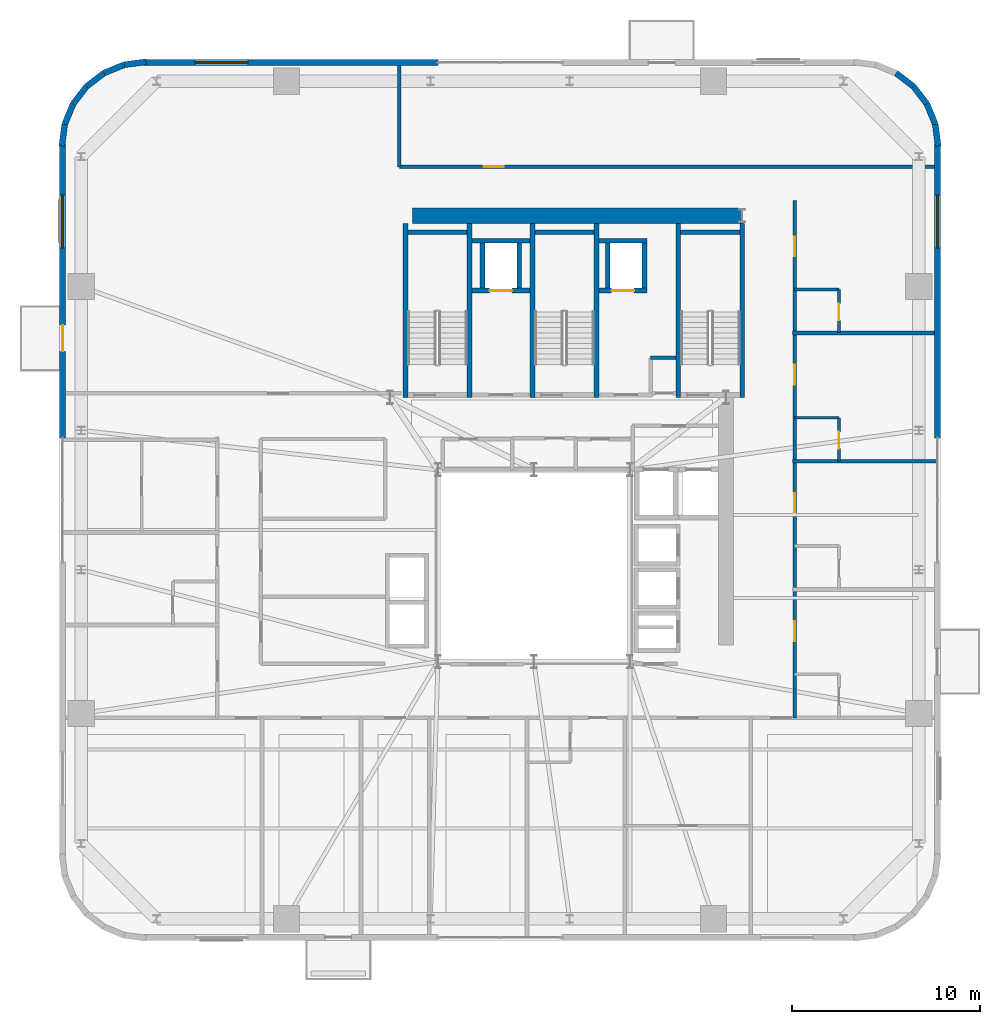
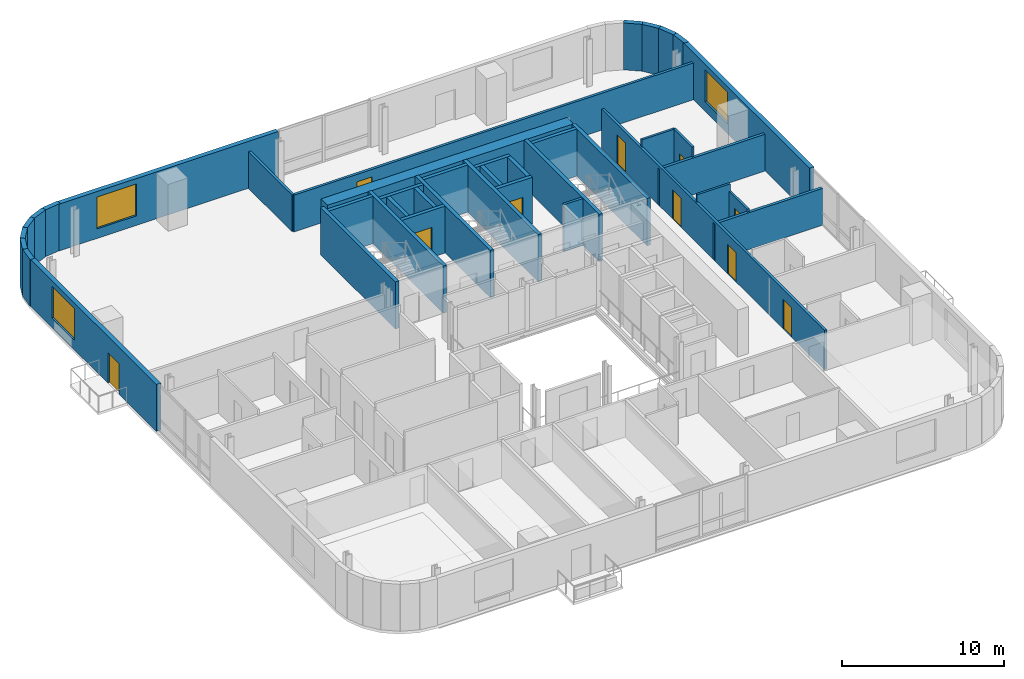
# One storey, part 10 of 13: 41 walls, 10 doors, 3 windows, 13 openings.
"""IFC4 building model written with IfcOpenShell, lengths in metres."""

from ifc_helpers import new_model, si_unit, direction, frame, frame_2d, origin, place, context, subcontext, project, spatial, rectangle, extrude, source, transform, mapped, material, layer, layer_set, type_object, element, fill, save


model = new_model("IFC4")

# Units and contexts
model_context = context("Model", 3, precision=1e-05, world=origin(), true_north=direction((0.0, 1.0)))
body_context = subcontext(model_context, "Body", "Model", "MODEL_VIEW")
ifc_project = project(units=[si_unit("LENGTHUNIT", "METRE"), si_unit("AREAUNIT", "SQUARE_METRE"), si_unit("VOLUMEUNIT", "CUBIC_METRE"), si_unit("PLANEANGLEUNIT", "RADIAN"), si_unit("MASSUNIT", "GRAM", prefix="KILO")], contexts=[model_context])

# Site, building, storey
site_placement = place(None, origin())
site = spatial("IfcSite", under=ifc_project, at=site_placement, CompositionType="ELEMENT")
building_placement = place(site_placement, origin())
building = spatial("IfcBuilding", under=site, at=building_placement, Name="Vardaveli Station Tower", CompositionType="ELEMENT")
storey_placement = place(building_placement, frame((0.0, 0.0, 196.050048828125)))
storey = spatial("IfcBuildingStorey", under=building, at=storey_placement, Name="L50", CompositionType="ELEMENT", Elevation=196.050048828125)

# Wall
ifc_material_1 = material(Name="Concrete C50/60", Category="concrete")
ifc_layer_1 = layer(ifc_material_1, 0.800048828125, Name="Concrete C50/60")
ifc_layer_set_1 = layer_set([ifc_layer_1], Name="Concrete C50/60")
wall_type_1 = type_object("IfcWallType", Name="WAL-CORE-800", PredefinedType="SHEAR", material=ifc_layer_set_1)
shared_shape_1 = source(origin(), body_context, "Body", "SweptSolid", [
    extrude(rectangle(XDim=17.52001953125, YDim=0.800048828125, at=frame_2d((8.760009765625, 0.0))), origin(), (0.0, 0.0, 1.0), 3.530029296875),
])
wall_1_placement = place(storey_placement, frame((29.85009765625, 40.300048828125, 0.0), z_axis=(0.0, 0.0, 1.0), x_axis=(1.0, 0.0, 0.0)))
element("IfcWall", 1, at=wall_1_placement, inside=storey, type_object=wall_type_1, Name="SW-L50-NORTH", PredefinedType="SHEAR", context=body_context, shape_type="MappedRepresentation", body=[
    mapped(shared_shape_1, transform((0.0, 0.0, 0.0), scale=1.0)),
])

# Wall, opening, window
ifc_material_2 = material(Name="Precast concrete C45/55", Category="concrete")
ifc_layer_2 = layer(ifc_material_2, 0.320068359375, Name="Precast concrete C45/55")
ifc_layer_set_2 = layer_set([ifc_layer_2], Name="Precast concrete C45/55")
wall_type_2 = type_object("IfcWallType", Name="WAL-EXT-STONE-320", PredefinedType="SOLIDWALL", material=ifc_layer_set_2)
shared_shape_2 = source(origin(), body_context, "Body", "SweptSolid", [
    extrude(rectangle(XDim=15.599853515625, YDim=0.320068359375, at=frame_2d((7.7998046875, 0.0))), origin(), (0.0, 0.0, 1.0), 3.530029296875),
])
wall_2_placement = place(storey_placement, frame((31.199951171875, 48.43994140625, 0.0), z_axis=(0.0, 0.0, 1.0), x_axis=(-1.0, 0.0, 0.0)))
wall_2 = element("IfcWall", 2, at=wall_2_placement, inside=storey, type_object=wall_type_2, Name="EW-L50-N2", PredefinedType="SOLIDWALL", context=body_context, shape_type="MappedRepresentation", body=[
    mapped(shared_shape_2, transform((0.0, 0.0, 0.0), scale=1.0)),
])
shared_shape_3 = source(origin(), body_context, "Body", "SweptSolid", [
    extrude(rectangle(XDim=2.800048828125, YDim=2.39990234375, at=frame_2d((1.39990234375, 1.199951171875))), frame((0.0, 0.169921875, 0.0), z_axis=(0.0, -1.0, 0.0), x_axis=(1.0, 0.0, 0.0)), (0.0, 0.0, 1.0), 0.340087890625),
])
opening_1_placement = place(wall_2_placement, frame((10.094970703125, 0.0, 0.719970703125)))
opening_1 = element("IfcOpeningElement", 3, at=opening_1_placement, cuts=wall_2, Name="Opening W-04", PredefinedType="OPENING", context=body_context, shape_type="MappedRepresentation", body=[
    mapped(shared_shape_3, transform((0.0, 0.0, 0.0), scale=1.0)),
])
ifc_material_3 = material(Name="Low-E solar-control glass", Category="glass")
window_type = type_object("IfcWindowType", Name="WIN-SUITE-2800x2400", PartitioningType="SINGLE_PANEL", PredefinedType="WINDOW", material=ifc_material_3)
shared_shape_4 = source(origin(), body_context, "Body", "SweptSolid", [
    extrude(rectangle(XDim=2.800048828125, YDim=2.39990234375, at=frame_2d((1.39990234375, 1.199951171875))), frame((0.0, 0.030029296875, 0.0), z_axis=(0.0, -1.0, 0.0), x_axis=(1.0, 0.0, 0.0)), (0.0, 0.0, 1.0), 0.06005859375),
])
window_1_placement = place(opening_1_placement, origin())
window_1 = element("IfcWindow", 4, at=window_1_placement, inside=storey, type_object=window_type, Name="WN-L50-N2", OverallHeight=2.39990234375, OverallWidth=2.800048828125, PartitioningType="SINGLE_PANEL", PredefinedType="WINDOW", context=body_context, shape_type="MappedRepresentation", body=[
    mapped(shared_shape_4, transform((0.0, 0.0, 0.0), scale=1.0)),
])
fill(opening_1, window_1)

# Wall, openings, door, window
shared_shape_5 = source(origin(), body_context, "Body", "SweptSolid", [
    extrude(rectangle(XDim=15.60009765625, YDim=0.320068359375, at=frame_2d((7.800048828125, 0.0))), origin(), (0.0, 0.0, 1.0), 3.530029296875),
])
wall_3_placement = place(storey_placement, frame((11.260009765625, 44.10009765625, 0.0), z_axis=(0.0, 0.0, 1.0), x_axis=(0.0, -1.0, 0.0)))
wall_3 = element("IfcWall", 5, at=wall_3_placement, inside=storey, type_object=wall_type_2, Name="EW-L50-W1", PredefinedType="SOLIDWALL", context=body_context, shape_type="MappedRepresentation", body=[
    mapped(shared_shape_5, transform((0.0, 0.0, 0.0), scale=1.0)),
])
shared_shape_6 = source(origin(), body_context, "Body", "SweptSolid", [
    extrude(rectangle(XDim=1.39990234375, YDim=2.300048828125, at=frame_2d((0.699951171875, 1.14990234375))), frame((0.0, 0.169921875, 0.0), z_axis=(0.0, -1.0, 0.0), x_axis=(1.0, 0.0, 0.0)), (0.0, 0.0, 1.0), 0.340087890625),
])
opening_2_placement = place(wall_3_placement, frame((9.6103515625, 0.0, 0.0)))
opening_2 = element("IfcOpeningElement", 6, at=opening_2_placement, cuts=wall_3, Name="Opening D-09", PredefinedType="OPENING", context=body_context, shape_type="MappedRepresentation", body=[
    mapped(shared_shape_6, transform((0.0, 0.0, 0.0), scale=1.0)),
])
opening_3_placement = place(wall_3_placement, frame((2.705078125, 0.0, 0.719970703125)))
opening_3 = element("IfcOpeningElement", 7, at=opening_3_placement, cuts=wall_3, Name="Opening W-04", PredefinedType="OPENING", context=body_context, shape_type="MappedRepresentation", body=[
    mapped(shared_shape_3, transform((0.0, 0.0, 0.0), scale=1.0)),
])
ifc_material_4 = material(Name="Thermally broken aluminium glass", Category="aluminium")
door_type_1 = type_object("IfcDoorType", Name="DR-LOG-1400x2300", OperationType="DOUBLE_DOOR_SLIDING", PredefinedType="DOOR", material=ifc_material_4)
shared_shape_7 = source(origin(), body_context, "Body", "SweptSolid", [
    extrude(rectangle(XDim=1.39990234375, YDim=2.300048828125, at=frame_2d((0.699951171875, 1.14990234375))), frame((0.0, 0.02490234375, 0.0), z_axis=(0.0, -1.0, 0.0), x_axis=(1.0, 0.0, 0.0)), (0.0, 0.0, 1.0), 0.050048828125),
])
door_1_placement = place(opening_2_placement, frame((1.39990234375, 0.0, 0.0), z_axis=(0.0, 0.0, 1.0), x_axis=(-1.0, 0.0, 0.0)))
door_1 = element("IfcDoor", 8, at=door_1_placement, inside=storey, type_object=door_type_1, Name="DLG-L50-W", OperationType="DOUBLE_DOOR_SLIDING", OverallHeight=2.300048828125, OverallWidth=1.39990234375, PredefinedType="DOOR", context=body_context, shape_type="MappedRepresentation", body=[
    mapped(shared_shape_7, transform((0.0, 0.0, 0.0), scale=1.0)),
])
fill(opening_2, door_1)
window_2_placement = place(opening_3_placement, origin())
window_2 = element("IfcWindow", 9, at=window_2_placement, inside=storey, type_object=window_type, Name="WN-L50-W1", OverallHeight=2.39990234375, OverallWidth=2.800048828125, PartitioningType="SINGLE_PANEL", PredefinedType="WINDOW", context=body_context, shape_type="MappedRepresentation", body=[
    mapped(shared_shape_4, transform((0.0, 0.0, 0.0), scale=1.0)),
])
fill(opening_3, window_2)

# Wall, opening, window
wall_4_placement = place(storey_placement, frame((57.739990234375, 28.5, 0.0), z_axis=(0.0, 0.0, 1.0), x_axis=(0.0, 1.0, 0.0)))
wall_4 = element("IfcWall", 10, at=wall_4_placement, inside=storey, type_object=wall_type_2, Name="EW-L50-E2", PredefinedType="SOLIDWALL", context=body_context, shape_type="MappedRepresentation", body=[
    mapped(shared_shape_5, transform((0.0, 0.0, 0.0), scale=1.0)),
])
opening_4_placement = place(wall_4_placement, frame((10.094970703125, 0.0, 0.719970703125)))
opening_4 = element("IfcOpeningElement", 11, at=opening_4_placement, cuts=wall_4, Name="Opening W-04", PredefinedType="OPENING", context=body_context, shape_type="MappedRepresentation", body=[
    mapped(shared_shape_3, transform((0.0, 0.0, 0.0), scale=1.0)),
])
window_3_placement = place(opening_4_placement, origin())
window_3 = element("IfcWindow", 12, at=window_3_placement, inside=storey, type_object=window_type, Name="WN-L50-E2", OverallHeight=2.39990234375, OverallWidth=2.800048828125, PartitioningType="SINGLE_PANEL", PredefinedType="WINDOW", context=body_context, shape_type="MappedRepresentation", body=[
    mapped(shared_shape_4, transform((0.0, 0.0, 0.0), scale=1.0)),
])
fill(opening_4, window_3)

# Walls
shared_shape_8 = source(origin(), body_context, "Body", "SweptSolid", [
    extrude(rectangle(XDim=1.1689453125, YDim=0.320068359375, at=frame_2d((0.58447265625, 0.0))), origin(), (0.0, 0.0, 1.0), 3.530029296875),
])
for number, where, z_axis, x_axis, name in (
    (13, (57.179931640625, 46.2412109375, 0.0), (0.0, 0.0, 1.0), (-0.608387696831, 0.793639975269, 0.0), "EW-L50-CR3-3"),
    (14, (12.53125, 47.1689453125, 0.0), (0.0, 0.0, 1.0), (-0.608387696831, -0.793639975269, 0.0), "EW-L50-CR4-4"),
):
    element("IfcWall", number, at=place(storey_placement, frame(where, z_axis=z_axis, x_axis=x_axis)), inside=storey, type_object=wall_type_2, Name=name, PredefinedType="SOLIDWALL", context=body_context, shape_type="MappedRepresentation", body=[
        mapped(shared_shape_8, transform((0.0, 0.0, 0.0), scale=1.0)),
    ])
shared_shape_9 = source(origin(), body_context, "Body", "SweptSolid", [
    extrude(rectangle(XDim=1.168701171875, YDim=0.320068359375, at=frame_2d((0.58447265625, 0.0))), origin(), (0.0, 0.0, 1.0), 3.530029296875),
])
for number, where, z_axis, x_axis, name in (
    (15, (56.46875, 47.1689453125, 0.0), (0.0, 0.0, 1.0), (-0.793663520347, 0.608356981114, 0.0), "EW-L50-CR3-4"),
    (16, (13.458740234375, 47.8798828125, 0.0), (0.0, 0.0, 1.0), (-0.793663520347, -0.608356981114, 0.0), "EW-L50-CR4-3"),
):
    element("IfcWall", number, at=place(storey_placement, frame(where, z_axis=z_axis, x_axis=x_axis)), inside=storey, type_object=wall_type_2, Name=name, PredefinedType="SOLIDWALL", context=body_context, shape_type="MappedRepresentation", body=[
        mapped(shared_shape_9, transform((0.0, 0.0, 0.0), scale=1.0)),
    ])
shared_shape_10 = source(origin(), body_context, "Body", "SweptSolid", [
    extrude(rectangle(XDim=1.17041015625, YDim=0.320068359375, at=frame_2d((0.585205078125, 0.0))), origin(), (0.0, 0.0, 1.0), 3.530029296875),
])
for number, where, z_axis, x_axis, name in (
    (17, (57.775634765625, 43.99951171875, 0.0), (0.0, 0.0, 1.0), (-0.128295670475, 0.991735963317, 0.0), "EW-L50-CR3-1"),
    (18, (15.700439453125, 48.4755859375, 0.0), (0.0, 0.0, 1.0), (-0.991735963317, -0.128295670475, 0.0), "EW-L50-CR4-1"),
    (19, (11.37451171875, 45.16015625, 0.0), (0.0, 0.0, 1.0), (-0.128295670475, -0.991735963317, 0.0), "EW-L50-CR4-6"),
):
    element("IfcWall", number, at=place(storey_placement, frame(where, z_axis=z_axis, x_axis=x_axis)), inside=storey, type_object=wall_type_2, Name=name, PredefinedType="SOLIDWALL", context=body_context, shape_type="MappedRepresentation", body=[
        mapped(shared_shape_10, transform((0.0, 0.0, 0.0), scale=1.0)),
    ])
shared_shape_11 = source(origin(), body_context, "Body", "SweptSolid", [
    extrude(rectangle(XDim=1.169189453125, YDim=0.320068359375, at=frame_2d((0.58447265625, 0.0))), origin(), (0.0, 0.0, 1.0), 3.530029296875),
])
for number, where, z_axis, x_axis, name in (
    (20, (57.62548828125, 45.16015625, 0.0), (0.0, 0.0, 1.0), (-0.381054331552, 0.924552646638, 0.0), "EW-L50-CR3-2"),
    (21, (14.539794921875, 48.325439453125, 0.0), (0.0, 0.0, 1.0), (-0.924552646638, -0.381054331552, 0.0), "EW-L50-CR4-2"),
    (22, (11.820068359375, 46.2412109375, 0.0), (0.0, 0.0, 1.0), (-0.381054331552, -0.924552646638, 0.0), "EW-L50-CR4-5"),
):
    element("IfcWall", number, at=place(storey_placement, frame(where, z_axis=z_axis, x_axis=x_axis)), inside=storey, type_object=wall_type_2, Name=name, PredefinedType="SOLIDWALL", context=body_context, shape_type="MappedRepresentation", body=[
        mapped(shared_shape_11, transform((0.0, 0.0, 0.0), scale=1.0)),
    ])
ifc_material_5 = material(Name="Concrete C40/50", Category="concrete")
ifc_layer_3 = layer(ifc_material_5, 0.25, Name="Concrete C40/50")
ifc_layer_set_3 = layer_set([ifc_layer_3], Name="Concrete C40/50")
wall_type_3 = type_object("IfcWallType", Name="WAL-SHAFT-250", PredefinedType="SOLIDWALL", material=ifc_layer_set_3)
shared_shape_12 = source(origin(), body_context, "Body", "SweptSolid", [
    extrude(rectangle(XDim=9.25, YDim=0.25, at=frame_2d((4.625, 0.0))), origin(), (0.0, 0.0, 1.0), 3.550048828125),
])
for number, where, z_axis, x_axis, name in (
    (23, (29.47509765625, 30.64990234375, 0.0), (0.0, 0.0, 1.0), (0.0, 1.0, 0.0), "W-L50-ST-1W"),
    (24, (32.875, 30.64990234375, 0.0), (0.0, 0.0, 1.0), (0.0, 1.0, 0.0), "W-L50-ST-1E"),
    (25, (36.22509765625, 30.64990234375, 0.0), (0.0, 0.0, 1.0), (0.0, 1.0, 0.0), "W-L50-ST-2W"),
    (26, (39.625, 30.64990234375, 0.0), (0.0, 0.0, 1.0), (0.0, 1.0, 0.0), "W-L50-ST-2E"),
    (27, (43.97509765625, 30.64990234375, 0.0), (0.0, 0.0, 1.0), (0.0, 1.0, 0.0), "W-L50-ST-3W"),
    (28, (47.375, 30.64990234375, 0.0), (0.0, 0.0, 1.0), (0.0, 1.0, 0.0), "W-L50-ST-3E"),
):
    element("IfcWall", number, at=place(storey_placement, frame(where, z_axis=z_axis, x_axis=x_axis)), inside=storey, type_object=wall_type_3, Name=name, PredefinedType="SOLIDWALL", context=body_context, shape_type="MappedRepresentation", body=[
        mapped(shared_shape_12, transform((0.0, 0.0, 0.0), scale=1.0)),
    ])
shared_shape_13 = source(origin(), body_context, "Body", "SweptSolid", [
    extrude(rectangle(XDim=3.14990234375, YDim=0.25, at=frame_2d((1.574951171875, 0.0))), origin(), (0.0, 0.0, 1.0), 3.550048828125),
])
for number, where, z_axis, x_axis, name in (
    (29, (29.60009765625, 39.425048828125, 0.0), (0.0, 0.0, 1.0), (1.0, 0.0, 0.0), "W-L50-ST-1N"),
    (30, (36.35009765625, 39.425048828125, 0.0), (0.0, 0.0, 1.0), (1.0, 0.0, 0.0), "W-L50-ST-2N"),
    (31, (44.10009765625, 39.425048828125, 0.0), (0.0, 0.0, 1.0), (1.0, 0.0, 0.0), "W-L50-ST-3N"),
):
    element("IfcWall", number, at=place(storey_placement, frame(where, z_axis=z_axis, x_axis=x_axis)), inside=storey, type_object=wall_type_3, Name=name, PredefinedType="SOLIDWALL", context=body_context, shape_type="MappedRepresentation", body=[
        mapped(shared_shape_13, transform((0.0, 0.0, 0.0), scale=1.0)),
    ])

# Wall, opening, door
shared_shape_14 = source(origin(), body_context, "Body", "SweptSolid", [
    extrude(rectangle(XDim=3.10009765625, YDim=0.25, at=frame_2d((1.550048828125, 0.0))), origin(), (0.0, 0.0, 1.0), 3.530029296875),
])
wall_5_placement = place(storey_placement, frame((33.0, 36.324951171875, 0.0), z_axis=(0.0, 0.0, 1.0), x_axis=(1.0, 0.0, 0.0)))
wall_5 = element("IfcWall", 32, at=wall_5_placement, inside=storey, type_object=wall_type_3, Name="SHW-FFL-01-L50-S", PredefinedType="SOLIDWALL", context=body_context, shape_type="MappedRepresentation", body=[
    mapped(shared_shape_14, transform((0.0, 0.0, 0.0), scale=1.0)),
])
shared_shape_15 = source(origin(), body_context, "Body", "SweptSolid", [
    extrude(rectangle(XDim=1.199951171875, YDim=2.25, at=frame_2d((0.60009765625, 1.125))), frame((0.0, 0.135009765625, 0.0), z_axis=(0.0, -1.0, 0.0), x_axis=(1.0, 0.0, 0.0)), (0.0, 0.0, 1.0), 0.27001953125),
])
opening_5_placement = place(wall_5_placement, frame((0.949951171875, 0.0, 0.0)))
opening_5 = element("IfcOpeningElement", 33, at=opening_5_placement, cuts=wall_5, Name="Opening LD-02", PredefinedType="OPENING", context=body_context, shape_type="MappedRepresentation", body=[
    mapped(shared_shape_15, transform((0.0, 0.0, 0.0), scale=1.0)),
])
ifc_material_6 = material(Name="Brushed stainless steel", Category="steel")
door_type_2 = type_object("IfcDoorType", Name="DR-LD-1200x2250", OperationType="DOUBLE_DOOR_SLIDING", PredefinedType="DOOR", material=ifc_material_6)
shared_shape_16 = source(origin(), body_context, "Body", "SweptSolid", [
    extrude(rectangle(XDim=1.199951171875, YDim=2.25, at=frame_2d((0.60009765625, 1.125))), frame((0.0, 0.02490234375, 0.0), z_axis=(0.0, -1.0, 0.0), x_axis=(1.0, 0.0, 0.0)), (0.0, 0.0, 1.0), 0.050048828125),
])
door_2_placement = place(opening_5_placement, origin())
door_2 = element("IfcDoor", 34, at=door_2_placement, inside=storey, type_object=door_type_2, Name="LD-FFL-01-L50", OperationType="DOUBLE_DOOR_SLIDING", OverallHeight=2.25, OverallWidth=1.199951171875, PredefinedType="DOOR", context=body_context, shape_type="MappedRepresentation", body=[
    mapped(shared_shape_16, transform((0.0, 0.0, 0.0), scale=1.0)),
])
fill(opening_5, door_2)

# Walls
wall_6_placement = place(storey_placement, frame((33.0, 38.97509765625, 0.0), z_axis=(0.0, 0.0, 1.0), x_axis=(1.0, 0.0, 0.0)))
element("IfcWall", 35, at=wall_6_placement, inside=storey, type_object=wall_type_3, Name="SHW-FFL-01-L50-N", PredefinedType="SOLIDWALL", context=body_context, shape_type="MappedRepresentation", body=[
    mapped(shared_shape_14, transform((0.0, 0.0, 0.0), scale=1.0)),
])
shared_shape_17 = source(origin(), body_context, "Body", "SweptSolid", [
    extrude(rectangle(XDim=2.400146484375, YDim=0.25, at=frame_2d((1.2001953125, 0.0))), origin(), (0.0, 0.0, 1.0), 3.530029296875),
])
for number, where, z_axis, x_axis, name in (
    (36, (33.574951171875, 36.449951171875, 0.0), (0.0, 0.0, 1.0), (0.0, 1.0, 0.0), "SHW-FFL-01-L50-W"),
    (37, (35.52490234375, 36.449951171875, 0.0), (0.0, 0.0, 1.0), (0.0, 1.0, 0.0), "SHW-FFL-01-L50-E"),
    (38, (40.22509765625, 36.449951171875, 0.0), (0.0, 0.0, 1.0), (0.0, 1.0, 0.0), "SHW-FFL-02-L50-W"),
    (39, (42.175048828125, 36.449951171875, 0.0), (0.0, 0.0, 1.0), (0.0, 1.0, 0.0), "SHW-FFL-02-L50-E"),
):
    element("IfcWall", number, at=place(storey_placement, frame(where, z_axis=z_axis, x_axis=x_axis)), inside=storey, type_object=wall_type_3, Name=name, PredefinedType="SOLIDWALL", context=body_context, shape_type="MappedRepresentation", body=[
        mapped(shared_shape_17, transform((0.0, 0.0, 0.0), scale=1.0)),
    ])

# Wall, opening, door
shared_shape_18 = source(origin(), body_context, "Body", "SweptSolid", [
    extrude(rectangle(XDim=2.550048828125, YDim=0.25, at=frame_2d((1.27490234375, 0.0))), origin(), (0.0, 0.0, 1.0), 3.530029296875),
])
wall_7_placement = place(storey_placement, frame((39.75, 36.324951171875, 0.0), z_axis=(0.0, 0.0, 1.0), x_axis=(1.0, 0.0, 0.0)))
wall_7 = element("IfcWall", 40, at=wall_7_placement, inside=storey, type_object=wall_type_3, Name="SHW-FFL-02-L50-S", PredefinedType="SOLIDWALL", context=body_context, shape_type="MappedRepresentation", body=[
    mapped(shared_shape_18, transform((0.0, 0.0, 0.0), scale=1.0)),
])
opening_6_placement = place(wall_7_placement, frame((0.675048828125, 0.0, 0.0)))
opening_6 = element("IfcOpeningElement", 41, at=opening_6_placement, cuts=wall_7, Name="Opening LD-02", PredefinedType="OPENING", context=body_context, shape_type="MappedRepresentation", body=[
    mapped(shared_shape_15, transform((0.0, 0.0, 0.0), scale=1.0)),
])
door_3_placement = place(opening_6_placement, origin())
door_3 = element("IfcDoor", 42, at=door_3_placement, inside=storey, type_object=door_type_2, Name="LD-FFL-02-L50", OperationType="DOUBLE_DOOR_SLIDING", OverallHeight=2.25, OverallWidth=1.199951171875, PredefinedType="DOOR", context=body_context, shape_type="MappedRepresentation", body=[
    mapped(shared_shape_16, transform((0.0, 0.0, 0.0), scale=1.0)),
])
fill(opening_6, door_3)

# Wall
wall_8_placement = place(storey_placement, frame((39.75, 38.97509765625, 0.0), z_axis=(0.0, 0.0, 1.0), x_axis=(1.0, 0.0, 0.0)))
element("IfcWall", 43, at=wall_8_placement, inside=storey, type_object=wall_type_3, Name="SHW-FFL-02-L50-N", PredefinedType="SOLIDWALL", context=body_context, shape_type="MappedRepresentation", body=[
    mapped(shared_shape_18, transform((0.0, 0.0, 0.0), scale=1.0)),
])

# Wall, opening, door
ifc_material_7 = material(Name="Fire-rated gypsum stud partition")
ifc_layer_4 = layer(ifc_material_7, 0.179931640625, Name="Fire-rated gypsum stud partition")
ifc_layer_set_4 = layer_set([ifc_layer_4], Name="Fire-rated gypsum stud partition")
wall_type_4 = type_object("IfcWallType", Name="WAL-CORR-180", PredefinedType="PARTITIONING", material=ifc_layer_set_4)
shared_shape_19 = source(origin(), body_context, "Body", "SweptSolid", [
    extrude(rectangle(XDim=28.427978515625, YDim=0.179931640625, at=frame_2d((14.2138671875, 0.0))), origin(), (0.0, 0.0, 1.0), 2.77197265625),
])
wall_9_placement = place(storey_placement, frame((29.14990234375, 42.89990234375, 0.0), z_axis=(0.0, 0.0, 1.0), x_axis=(1.0, 0.0, 0.0)))
wall_9 = element("IfcWall", 44, at=wall_9_placement, inside=storey, type_object=wall_type_4, Name="W-L50-NPS", PredefinedType="PARTITIONING", context=body_context, shape_type="MappedRepresentation", body=[
    mapped(shared_shape_19, transform((0.0, 0.0, 0.0), scale=1.0)),
])
shared_shape_20 = source(origin(), body_context, "Body", "SweptSolid", [
    extrude(rectangle(XDim=1.050048828125, YDim=2.199951171875, at=frame_2d((0.52490234375, 1.10009765625))), frame((0.0, 0.10009765625, 0.0), z_axis=(0.0, -1.0, 0.0), x_axis=(1.0, 0.0, 0.0)), (0.0, 0.0, 1.0), 0.199951171875),
])
opening_7_placement = place(wall_9_placement, frame((4.5, 0.0, 0.0)))
opening_7 = element("IfcOpeningElement", 45, at=opening_7_placement, cuts=wall_9, Name="Opening D-05", PredefinedType="OPENING", context=body_context, shape_type="MappedRepresentation", body=[
    mapped(shared_shape_20, transform((0.0, 0.0, 0.0), scale=1.0)),
])
ifc_material_8 = material(Name="Walnut veneer acoustic fire door")
door_type_3 = type_object("IfcDoorType", Name="DR-SUITE-1050x2200", OperationType="NOTDEFINED", PredefinedType="DOOR", material=ifc_material_8)
shared_shape_21 = source(origin(), body_context, "Body", "SweptSolid", [
    extrude(rectangle(XDim=1.050048828125, YDim=2.199951171875, at=frame_2d((0.52490234375, 1.10009765625))), frame((0.0, 0.02490234375, 0.0), z_axis=(0.0, -1.0, 0.0), x_axis=(1.0, 0.0, 0.0)), (0.0, 0.0, 1.0), 0.050048828125),
])
door_4_placement = place(opening_7_placement, origin())
door_4 = element("IfcDoor", 46, at=door_4_placement, inside=storey, type_object=door_type_3, Name="D-L50-NP1", OperationType="SINGLE_SWING_LEFT", OverallHeight=2.199951171875, OverallWidth=1.050048828125, PredefinedType="DOOR", context=body_context, shape_type="MappedRepresentation", body=[
    mapped(shared_shape_21, transform((0.0, 0.0, 0.0), scale=1.0)),
])
fill(opening_7, door_4)

ifc_material_9 = material(Name="Moisture-resistant stud partition")
ifc_layer_5 = layer(ifc_material_9, 0.14990234375, Name="Moisture-resistant stud partition")
ifc_layer_set_5 = layer_set([ifc_layer_5], Name="Moisture-resistant stud partition")
wall_type_5 = type_object("IfcWallType", Name="WAL-WET-150", PredefinedType="PARTITIONING", material=ifc_layer_set_5)
shared_shape_22 = source(origin(), body_context, "Body", "SweptSolid", [
    extrude(rectangle(XDim=2.2900390625, YDim=0.14990234375, at=frame_2d((1.14501953125, 0.0))), origin(), (0.0, 0.0, 1.0), 2.971923828125),
])
wall_10_placement = place(storey_placement, frame((52.510009765625, 27.27490234375, 0.0), z_axis=(0.0, 0.0, 1.0), x_axis=(0.0, 1.0, 0.0)))
wall_10 = element("IfcWall", 47, at=wall_10_placement, inside=storey, type_object=wall_type_5, Name="W-L50-BE3-E", PredefinedType="PARTITIONING", context=body_context, shape_type="MappedRepresentation", body=[
    mapped(shared_shape_22, transform((0.0, 0.0, 0.0), scale=1.0)),
])
shared_shape_23 = source(origin(), body_context, "Body", "SweptSolid", [
    extrude(rectangle(XDim=0.89990234375, YDim=2.10009765625, at=frame_2d((0.449951171875, 1.050048828125))), frame((0.0, 0.0849609375, 0.0), z_axis=(0.0, -1.0, 0.0), x_axis=(1.0, 0.0, 0.0)), (0.0, 0.0, 1.0), 0.169921875),
])
opening_8_placement = place(wall_10_placement, frame((0.64990234375, 0.0, 0.0)))
opening_8 = element("IfcOpeningElement", 48, at=opening_8_placement, cuts=wall_10, Name="Opening D-08", PredefinedType="OPENING", context=body_context, shape_type="MappedRepresentation", body=[
    mapped(shared_shape_23, transform((0.0, 0.0, 0.0), scale=1.0)),
])
ifc_material_10 = material(Name="Moisture-resistant oak door")
door_type_4 = type_object("IfcDoorType", Name="DR-BATH-900x2100", OperationType="NOTDEFINED", PredefinedType="DOOR", material=ifc_material_10)
shared_shape_24 = source(origin(), body_context, "Body", "SweptSolid", [
    extrude(rectangle(XDim=0.89990234375, YDim=2.10009765625, at=frame_2d((0.449951171875, 1.050048828125))), frame((0.0, 0.02490234375, 0.0), z_axis=(0.0, -1.0, 0.0), x_axis=(1.0, 0.0, 0.0)), (0.0, 0.0, 1.0), 0.050048828125),
])
door_5_placement = place(opening_8_placement, origin())
door_5 = element("IfcDoor", 49, at=door_5_placement, inside=storey, type_object=door_type_4, Name="D-L50-BE3", OperationType="SINGLE_SWING_LEFT", OverallHeight=2.10009765625, OverallWidth=0.89990234375, PredefinedType="DOOR", context=body_context, shape_type="MappedRepresentation", body=[
    mapped(shared_shape_24, transform((0.0, 0.0, 0.0), scale=1.0)),
])
fill(opening_8, door_5)

# Walls
ifc_material_11 = material(Name="Acoustic twin-stud gypsum partition")
ifc_layer_6 = layer(ifc_material_11, 0.199951171875, Name="Acoustic twin-stud gypsum partition")
ifc_layer_set_6 = layer_set([ifc_layer_6], Name="Acoustic twin-stud gypsum partition")
wall_type_6 = type_object("IfcWallType", Name="WAL-PARTY-200", PredefinedType="PARTITIONING", material=ifc_layer_set_6)
shared_shape_25 = source(origin(), body_context, "Body", "SweptSolid", [
    extrude(rectangle(XDim=7.52783203125, YDim=0.199951171875, at=frame_2d((3.763916015625, 0.0))), origin(), (0.0, 0.0, 1.0), 2.77197265625),
])
wall_11_placement = place(storey_placement, frame((50.050048828125, 34.068115234375, 0.0), z_axis=(0.0, 0.0, 1.0), x_axis=(1.0, 0.0, 0.0)))
element("IfcWall", 50, at=wall_11_placement, inside=storey, type_object=wall_type_6, Name="W-L50-PE3", PredefinedType="PARTITIONING", context=body_context, shape_type="MappedRepresentation", body=[
    mapped(shared_shape_25, transform((0.0, 0.0, 0.0), scale=1.0)),
])
shared_shape_26 = source(origin(), body_context, "Body", "SweptSolid", [
    extrude(rectangle(XDim=7.719970703125, YDim=0.199951171875, at=frame_2d((3.85986328125, 0.0))), origin(), (0.0, 0.0, 1.0), 2.77197265625),
])
wall_12_placement = place(storey_placement, frame((50.050048828125, 27.2548828125, 0.0), z_axis=(0.0, 0.0, 1.0), x_axis=(1.0, 0.0, 0.0)))
element("IfcWall", 51, at=wall_12_placement, inside=storey, type_object=wall_type_6, Name="W-L50-PE2", PredefinedType="PARTITIONING", context=body_context, shape_type="MappedRepresentation", body=[
    mapped(shared_shape_26, transform((0.0, 0.0, 0.0), scale=1.0)),
])
shared_shape_27 = source(origin(), body_context, "Body", "SweptSolid", [
    extrude(rectangle(XDim=5.378173828125, YDim=0.179931640625, at=frame_2d((2.68896484375, 0.0))), origin(), (0.0, 0.0, 1.0), 2.77197265625),
])
wall_13_placement = place(storey_placement, frame((29.14990234375, 42.89990234375, 0.0), z_axis=(0.0, 0.0, 1.0), x_axis=(0.0, 1.0, 0.0)))
element("IfcWall", 52, at=wall_13_placement, inside=storey, type_object=wall_type_4, Name="W-L50-NPW", PredefinedType="PARTITIONING", context=body_context, shape_type="MappedRepresentation", body=[
    mapped(shared_shape_27, transform((0.0, 0.0, 0.0), scale=1.0)),
])
shared_shape_28 = source(origin(), body_context, "Body", "SweptSolid", [
    extrude(rectangle(XDim=2.360107421875, YDim=0.14990234375, at=frame_2d((1.18017578125, 0.0))), origin(), (0.0, 0.0, 1.0), 3.530029296875),
])
for number, where, z_axis, x_axis, name in (
    (53, (50.14990234375, 29.56494140625, 0.0), (0.0, 0.0, 1.0), (1.0, 0.0, 0.0), "W-L50-BE3-N"),
    (54, (50.14990234375, 36.3779296875, 0.0), (0.0, 0.0, 1.0), (1.0, 0.0, 0.0), "W-L50-BE4-N"),
):
    element("IfcWall", number, at=place(storey_placement, frame(where, z_axis=z_axis, x_axis=x_axis)), inside=storey, type_object=wall_type_5, Name=name, PredefinedType="PARTITIONING", context=body_context, shape_type="MappedRepresentation", body=[
        mapped(shared_shape_28, transform((0.0, 0.0, 0.0), scale=1.0)),
    ])
shared_shape_29 = source(origin(), body_context, "Body", "SweptSolid", [
    extrude(rectangle(XDim=1.347900390625, YDim=0.179931640625, at=frame_2d((0.673828125, 0.0))), origin(), (0.0, 0.0, 1.0), 3.530029296875),
])
wall_14_placement = place(storey_placement, frame((42.5, 32.75, 0.0), z_axis=(0.0, 0.0, 1.0), x_axis=(1.0, 0.0, 0.0)))
element("IfcWall", 55, at=wall_14_placement, inside=storey, type_object=wall_type_4, Name="W-L50-CBS2A-N", PredefinedType="PARTITIONING", context=body_context, shape_type="MappedRepresentation", body=[
    mapped(shared_shape_29, transform((0.0, 0.0, 0.0), scale=1.0)),
])

# Wall, openings, doors
shared_shape_30 = source(origin(), body_context, "Body", "SweptSolid", [
    extrude(rectangle(XDim=27.47021484375, YDim=0.179931640625, at=frame_2d((13.735107421875, 0.0))), origin(), (0.0, 0.0, 1.0), 2.971923828125),
])
wall_15_placement = place(storey_placement, frame((50.14990234375, 13.6298828125, 0.0), z_axis=(0.0, 0.0, 1.0), x_axis=(0.0, 1.0, 0.0)))
wall_15 = element("IfcWall", 56, at=wall_15_placement, inside=storey, type_object=wall_type_4, Name="W-L50-CE", PredefinedType="PARTITIONING", context=body_context, shape_type="MappedRepresentation", body=[
    mapped(shared_shape_30, transform((0.0, 0.0, 0.0), scale=1.0)),
])
opening_9_placement = place(wall_15_placement, frame((4.0712890625, 0.0, 0.0)))
opening_9 = element("IfcOpeningElement", 57, at=opening_9_placement, cuts=wall_15, Name="Opening D-05", PredefinedType="OPENING", context=body_context, shape_type="MappedRepresentation", body=[
    mapped(shared_shape_20, transform((0.0, 0.0, 0.0), scale=1.0)),
])
opening_10_placement = place(wall_15_placement, frame((10.8837890625, 0.0, 0.0)))
opening_10 = element("IfcOpeningElement", 58, at=opening_10_placement, cuts=wall_15, Name="Opening D-05", PredefinedType="OPENING", context=body_context, shape_type="MappedRepresentation", body=[
    mapped(shared_shape_20, transform((0.0, 0.0, 0.0), scale=1.0)),
])
opening_11_placement = place(wall_15_placement, frame((17.6962890625, 0.0, 0.0)))
opening_11 = element("IfcOpeningElement", 59, at=opening_11_placement, cuts=wall_15, Name="Opening D-05", PredefinedType="OPENING", context=body_context, shape_type="MappedRepresentation", body=[
    mapped(shared_shape_20, transform((0.0, 0.0, 0.0), scale=1.0)),
])
opening_12_placement = place(wall_15_placement, frame((24.5087890625, 0.0, 0.0)))
opening_12 = element("IfcOpeningElement", 60, at=opening_12_placement, cuts=wall_15, Name="Opening D-05", PredefinedType="OPENING", context=body_context, shape_type="MappedRepresentation", body=[
    mapped(shared_shape_20, transform((0.0, 0.0, 0.0), scale=1.0)),
])
door_6_placement = place(opening_9_placement, origin())
door_6 = element("IfcDoor", 61, at=door_6_placement, inside=storey, type_object=door_type_3, Name="D-L50-GE1", OperationType="SINGLE_SWING_RIGHT", OverallHeight=2.199951171875, OverallWidth=1.050048828125, PredefinedType="DOOR", context=body_context, shape_type="MappedRepresentation", body=[
    mapped(shared_shape_21, transform((0.0, 0.0, 0.0), scale=1.0)),
])
fill(opening_9, door_6)
door_7_placement = place(opening_10_placement, origin())
door_7 = element("IfcDoor", 62, at=door_7_placement, inside=storey, type_object=door_type_3, Name="D-L50-GE2", OperationType="SINGLE_SWING_LEFT", OverallHeight=2.199951171875, OverallWidth=1.050048828125, PredefinedType="DOOR", context=body_context, shape_type="MappedRepresentation", body=[
    mapped(shared_shape_21, transform((0.0, 0.0, 0.0), scale=1.0)),
])
fill(opening_10, door_7)
door_8_placement = place(opening_11_placement, origin())
door_8 = element("IfcDoor", 63, at=door_8_placement, inside=storey, type_object=door_type_3, Name="D-L50-GE3", OperationType="SINGLE_SWING_RIGHT", OverallHeight=2.199951171875, OverallWidth=1.050048828125, PredefinedType="DOOR", context=body_context, shape_type="MappedRepresentation", body=[
    mapped(shared_shape_21, transform((0.0, 0.0, 0.0), scale=1.0)),
])
fill(opening_11, door_8)
door_9_placement = place(opening_12_placement, origin())
door_9 = element("IfcDoor", 64, at=door_9_placement, inside=storey, type_object=door_type_3, Name="D-L50-GE4", OperationType="SINGLE_SWING_LEFT", OverallHeight=2.199951171875, OverallWidth=1.050048828125, PredefinedType="DOOR", context=body_context, shape_type="MappedRepresentation", body=[
    mapped(shared_shape_21, transform((0.0, 0.0, 0.0), scale=1.0)),
])
fill(opening_12, door_9)

# Wall, opening, door
shared_shape_31 = source(origin(), body_context, "Body", "SweptSolid", [
    extrude(rectangle(XDim=2.2900390625, YDim=0.14990234375, at=frame_2d((1.14501953125, 0.0))), origin(), (0.0, 0.0, 1.0), 3.530029296875),
])
wall_16_placement = place(storey_placement, frame((52.510009765625, 34.087890625, 0.0), z_axis=(0.0, 0.0, 1.0), x_axis=(0.0, 1.0, 0.0)))
wall_16 = element("IfcWall", 65, at=wall_16_placement, inside=storey, type_object=wall_type_5, Name="W-L50-BE4-E", PredefinedType="PARTITIONING", context=body_context, shape_type="MappedRepresentation", body=[
    mapped(shared_shape_31, transform((0.0, 0.0, 0.0), scale=1.0)),
])
opening_13_placement = place(wall_16_placement, frame((0.64990234375, 0.0, 0.0)))
opening_13 = element("IfcOpeningElement", 66, at=opening_13_placement, cuts=wall_16, Name="Opening D-08", PredefinedType="OPENING", context=body_context, shape_type="MappedRepresentation", body=[
    mapped(shared_shape_23, transform((0.0, 0.0, 0.0), scale=1.0)),
])
door_10_placement = place(opening_13_placement, origin())
door_10 = element("IfcDoor", 67, at=door_10_placement, inside=storey, type_object=door_type_4, Name="D-L50-BE4", OperationType="SINGLE_SWING_RIGHT", OverallHeight=2.10009765625, OverallWidth=0.89990234375, PredefinedType="DOOR", context=body_context, shape_type="MappedRepresentation", body=[
    mapped(shared_shape_24, transform((0.0, 0.0, 0.0), scale=1.0)),
])
fill(opening_13, door_10)

save(model, "model.ifc")
